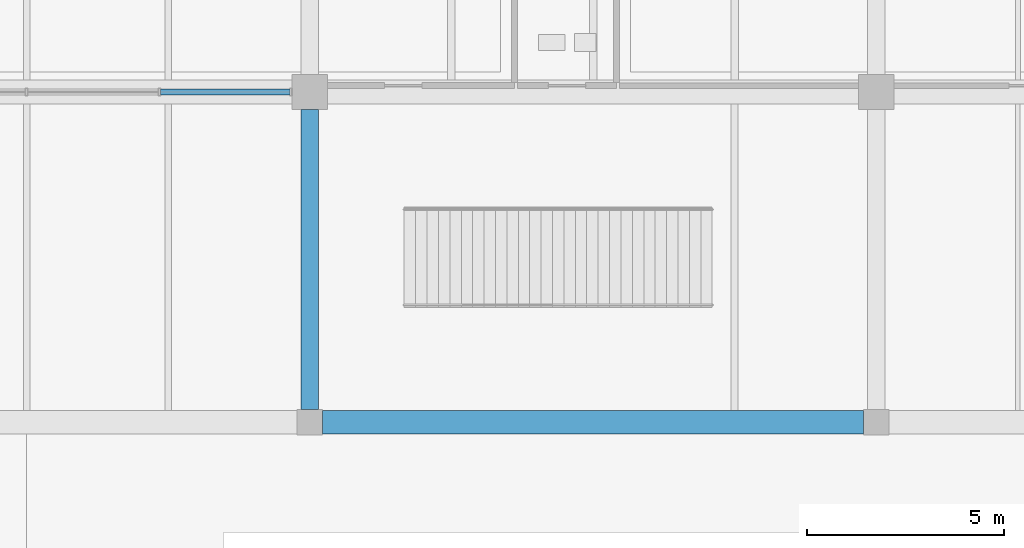
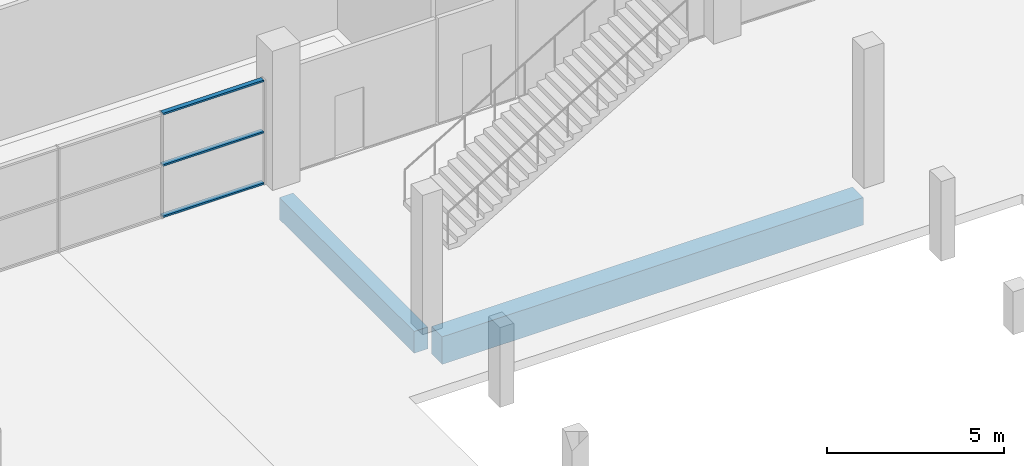
# One storey, part 52 of 130: 3 members, 2 beams, 1 element without a shape of its own.
"""IFC4 building model written with IfcOpenShell, lengths in metres."""

from ifc_helpers import new_model, si_unit, direction, frame, origin, origin_2d, place, context, subcontext, project, spatial, rectangle, hollow_rectangle, extrude, material, material_profile, profile_set, type_object, element, aggregate, save


model = new_model("IFC4")

# Units and contexts
model_context = context("Model", 3, precision=1e-05, world=origin(), true_north=direction((0.0, 1.0)))
body_context = subcontext(model_context, "Body", "Model", "MODEL_VIEW")
ifc_project = project(units=[si_unit("LENGTHUNIT", "METRE"), si_unit("AREAUNIT", "SQUARE_METRE"), si_unit("VOLUMEUNIT", "CUBIC_METRE"), si_unit("PLANEANGLEUNIT", "RADIAN"), si_unit("MASSUNIT", "GRAM", prefix="KILO"), si_unit("THERMODYNAMICTEMPERATUREUNIT", "KELVIN")], contexts=[model_context])

# Site, building, storey
site_placement = place(None, origin())
site = spatial("IfcSite", under=ifc_project, at=site_placement, CompositionType="ELEMENT")
building_placement = place(site_placement, origin())
building = spatial("IfcBuilding", under=site, at=building_placement, Name="Nduvali Passage Aquatics Centre", CompositionType="ELEMENT")
storey_placement = place(building_placement, origin())
storey = spatial("IfcBuildingStorey", under=building, at=storey_placement, Name="L00", CompositionType="ELEMENT", Elevation=0.0)

# Curtain wall, members
ifc_material_1 = material(Name="Aluminium EN AW-6063 T6", Category="aluminium")
curtain_wall_type = type_object("IfcCurtainWallType", Name="ENV-CW-HALL", PredefinedType="NOTDEFINED", material=ifc_material_1)
curtain_wall_placement = place(storey_placement, origin())
curtain_wall = element("IfcCurtainWall", 1, at=curtain_wall_placement, inside=storey, type_object=curtain_wall_type, Name="L00 North Pool Hall Hydro-Pool Screen 063", PredefinedType="NOTDEFINED")
ifc_material_profile_1 = material_profile(ifc_material_1, hollow_rectangle(XDim=0.14990234375, YDim=0.06005859375, WallThickness=0.00390625, at=origin_2d()), Name="ALU TRANSOM 150x60x4")
ifc_profile_set_1 = profile_set([ifc_material_profile_1], Name="Aluminium EN AW-6063 T6")
member_type = type_object("IfcMemberType", Name="ENV-MEM-TRN80", PredefinedType="USERDEFINED", material=ifc_profile_set_1)
member_1_placement = place(storey_placement, frame((93.405029296875, 92.39990234375, 0.030029296875), z_axis=(1.0, 0.0, 0.0), x_axis=(0.0, 1.0, 0.0)))
member_1 = element("IfcMember", 2, at=member_1_placement, type_object=member_type, Name="North Pool Hall Hydro-Pool Screen Transom B4-R0", ObjectType="TRANSOM", PredefinedType="USERDEFINED", context=body_context, shape_type="SweptSolid", body=[
    extrude(hollow_rectangle(XDim=0.14990234375, YDim=0.06005859375, WallThickness=0.00390625, at=origin_2d()), origin(), (0.0, 0.0, 1.0), 3.284912109375),
])
member_2_placement = place(storey_placement, frame((93.405029296875, 92.39990234375, 1.802734375), z_axis=(1.0, 0.0, 0.0), x_axis=(0.0, 1.0, 0.0)))
member_2 = element("IfcMember", 3, at=member_2_placement, type_object=member_type, Name="North Pool Hall Hydro-Pool Screen Transom B4-R1", ObjectType="TRANSOM", PredefinedType="USERDEFINED", context=body_context, shape_type="SweptSolid", body=[
    extrude(hollow_rectangle(XDim=0.14990234375, YDim=0.06005859375, WallThickness=0.00390625, at=origin_2d()), origin(), (0.0, 0.0, 1.0), 3.284912109375),
])
member_3_placement = place(storey_placement, frame((93.405029296875, 92.39990234375, 3.57568359375), z_axis=(1.0, 0.0, 0.0), x_axis=(0.0, 1.0, 0.0)))
member_3 = element("IfcMember", 4, at=member_3_placement, type_object=member_type, Name="North Pool Hall Hydro-Pool Screen Transom B4-R2", ObjectType="TRANSOM", PredefinedType="USERDEFINED", context=body_context, shape_type="SweptSolid", body=[
    extrude(hollow_rectangle(XDim=0.14990234375, YDim=0.06005859375, WallThickness=0.00390625, at=origin_2d()), origin(), (0.0, 0.0, 1.0), 3.284912109375),
])
aggregate(curtain_wall, [member_1, member_2, member_3])

# Beams
ifc_material_2 = material(Name="Concrete C40/50", Category="concrete")
ifc_material_profile_2 = material_profile(ifc_material_2, rectangle(XDim=0.449951171875, YDim=0.75, at=origin_2d()), Name="RC 450x750")
ifc_profile_set_2 = profile_set([ifc_material_profile_2], Name="Concrete C40/50")
beam_type_1 = type_object("IfcBeamType", Name="STR-BM-RC4575", PredefinedType="BEAM", material=ifc_profile_set_2)
beam_1_placement = place(storey_placement, frame((97.199951171875, 84.324951171875, -0.695068359375), z_axis=(0.0, 1.0, 0.0), x_axis=(-1.0, 0.0, 0.0)))
element("IfcBeam", 5, at=beam_1_placement, inside=storey, type_object=beam_type_1, Name="L00 Primary Y-Girder B3-0174", PredefinedType="BEAM", context=body_context, shape_type="SweptSolid", body=[
    extrude(rectangle(XDim=0.449951171875, YDim=0.75, at=origin_2d()), origin(), (0.0, 0.0, 1.0), 7.625),
])
ifc_material_profile_3 = material_profile(ifc_material_2, rectangle(XDim=0.60009765625, YDim=0.949951171875, at=origin_2d()), Name="RC 600x950")
ifc_profile_set_3 = profile_set([ifc_material_profile_3], Name="Concrete C40/50")
beam_type_2 = type_object("IfcBeamType", Name="STR-BM-RC6095", PredefinedType="BEAM", material=ifc_profile_set_3)
beam_2_placement = place(storey_placement, frame((97.52490234375, 84.0, -0.794921875), z_axis=(1.0, 0.0, 0.0), x_axis=(0.0, 1.0, 0.0)))
element("IfcBeam", 6, at=beam_2_placement, inside=storey, type_object=beam_type_2, Name="L00 Primary X-Girder B1-0080", PredefinedType="BEAM", context=body_context, shape_type="SweptSolid", body=[
    extrude(rectangle(XDim=0.60009765625, YDim=0.949951171875, at=origin_2d()), origin(), (0.0, 0.0, 1.0), 13.75),
])

save(model, "model.ifc")
